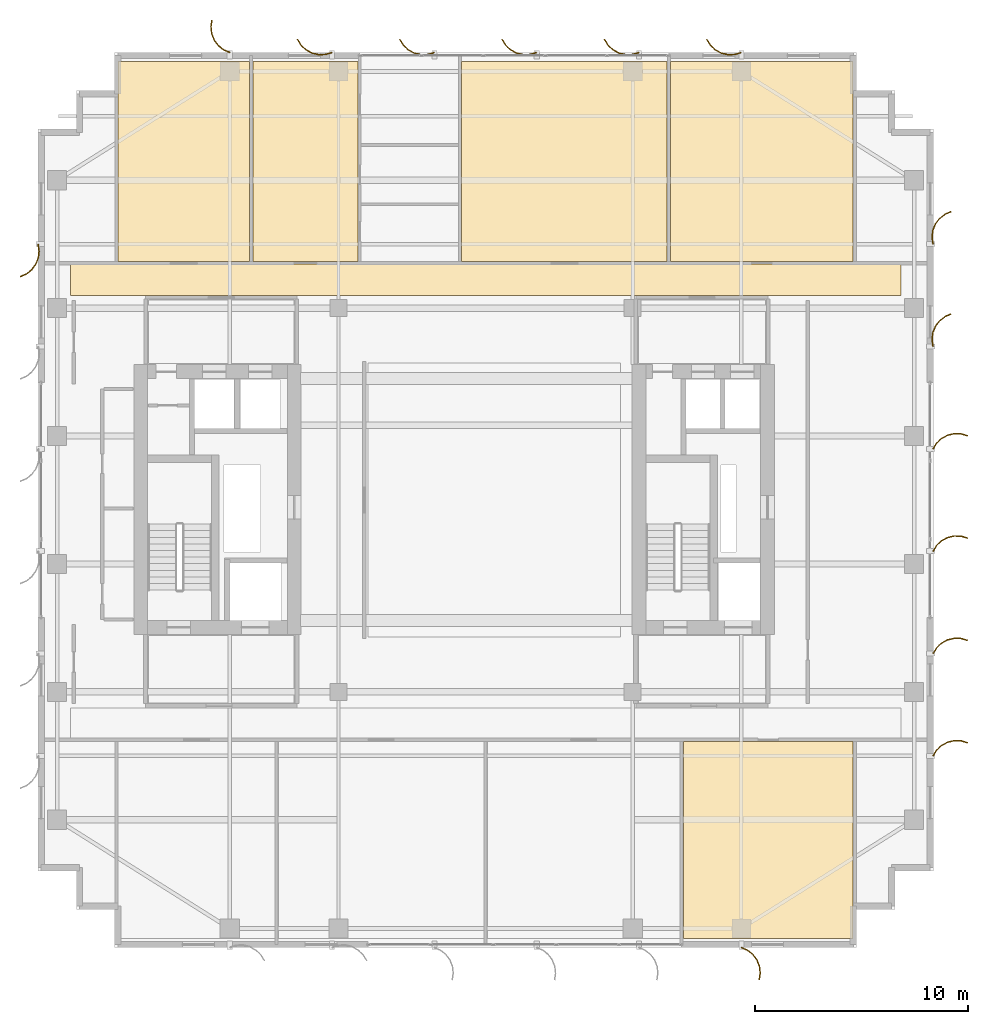
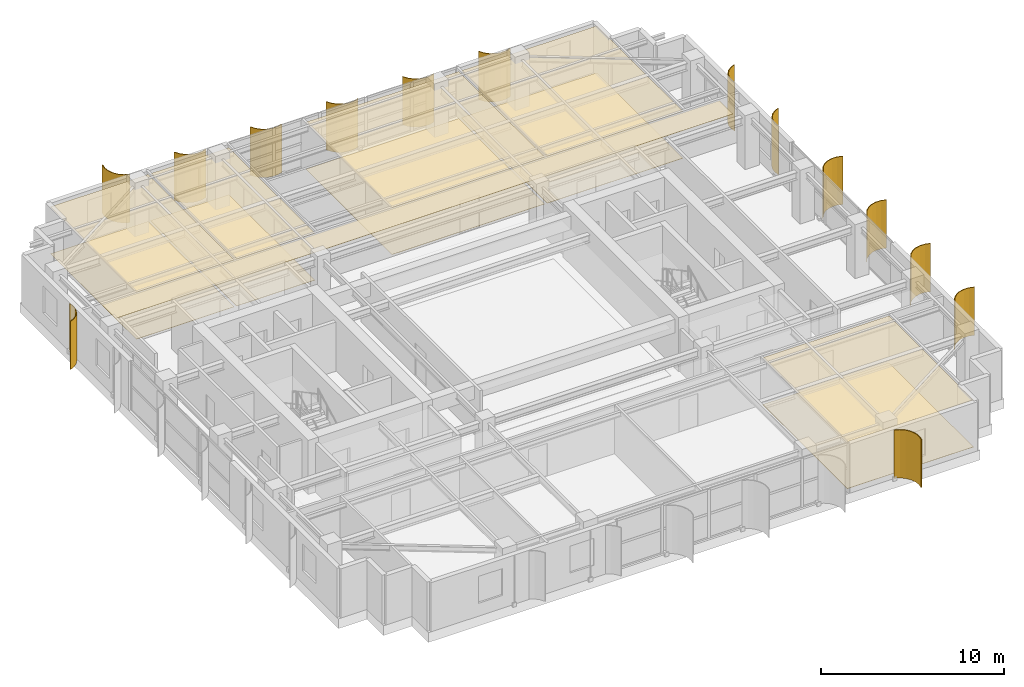
# One storey, part 25 of 25: 14 shading devices, 11 coverings.
"""IFC4 building model written with IfcOpenShell, lengths in metres."""

from ifc_helpers import new_model, si_unit, direction, frame, origin, place, context, subcontext, project, spatial, polyline, outline, extrude, source, transform, mapped, material, layer, layer_set, type_object, element, save


model = new_model("IFC4")

# Units and contexts
model_context = context("Model", 3, precision=1e-05, world=origin(), true_north=direction((0.0, 1.0)))
body_context = subcontext(model_context, "Body", "Model", "MODEL_VIEW")
ifc_project = project(units=[si_unit("LENGTHUNIT", "METRE"), si_unit("AREAUNIT", "SQUARE_METRE"), si_unit("VOLUMEUNIT", "CUBIC_METRE"), si_unit("PLANEANGLEUNIT", "RADIAN"), si_unit("MASSUNIT", "GRAM", prefix="KILO")], contexts=[model_context])

# Site, building, storey
site_placement = place(None, origin())
site = spatial("IfcSite", under=ifc_project, at=site_placement, CompositionType="ELEMENT")
building_placement = place(site_placement, origin())
building = spatial("IfcBuilding", under=site, at=building_placement, Name="Khoralis Quay Care Tower", CompositionType="ELEMENT")
storey_placement = place(building_placement, frame((0.0, 0.0, 216.89990234375)))
storey = spatial("IfcBuildingStorey", under=building, at=storey_placement, Name="L57", CompositionType="ELEMENT", Elevation=216.89990234375)

# Coverings
ifc_material_1 = material(Name="Mineral-fibre acoustic ceiling tile")
ifc_layer_1 = layer(ifc_material_1, 0.01806640625)
ifc_layer_set_1 = layer_set([ifc_layer_1], Name="Mineral-fibre acoustic ceiling tile")
covering_type_1 = type_object("IfcCoveringType", Name="COV-CEIL-AC18", PredefinedType="CEILING", material=ifc_layer_set_1)
covering_1_placement = place(storey_placement, frame((0.0, 0.0, 3.132080078125)))
element("IfcCovering", 1, at=covering_1_placement, inside=storey, type_object=covering_type_1, Name="Suspended Acoustic Ceiling SP-L57-CORR-N", PredefinedType="CEILING", context=body_context, shape_type="SweptSolid", body=[
    extrude(outline(polyline([(4.52001953125, 30.590087890625), (43.47998046875, 30.590087890625), (43.47998046875, 32.06005859375), (4.52001953125, 32.06005859375), (4.52001953125, 30.590087890625)])), origin(), (0.0, 0.0, 1.0), 0.01806640625),
])
covering_2_placement = place(storey_placement, frame((0.0, 0.0, 3.132080078125)))
element("IfcCovering", 2, at=covering_2_placement, inside=storey, type_object=covering_type_1, Name="Suspended Acoustic Ceiling SP-L57-SB-COM3", PredefinedType="CEILING", context=body_context, shape_type="SweptSolid", body=[
    extrude(outline(polyline([(33.280029296875, 0.419921875), (41.239990234375, 0.419921875), (41.239990234375, 9.669921875), (33.280029296875, 9.669921875), (33.280029296875, 0.419921875)])), origin(), (0.0, 0.0, 1.0), 0.01806640625),
])
covering_3_placement = place(storey_placement, frame((0.0, 0.0, 3.132080078125)))
element("IfcCovering", 3, at=covering_3_placement, inside=storey, type_object=covering_type_1, Name="Suspended Acoustic Ceiling SP-L57-NB-COM0", PredefinedType="CEILING", context=body_context, shape_type="SweptSolid", body=[
    extrude(outline(polyline([(6.760009765625, 32.179931640625), (12.919921875, 32.179931640625), (12.919921875, 41.580078125), (6.760009765625, 41.580078125), (6.760009765625, 32.179931640625)])), origin(), (0.0, 0.0, 1.0), 0.01806640625),
])
covering_4_placement = place(storey_placement, frame((0.0, 0.0, 3.132080078125)))
element("IfcCovering", 4, at=covering_4_placement, inside=storey, type_object=covering_type_1, Name="Suspended Acoustic Ceiling SP-L57-NB-LIV1", PredefinedType="CEILING", context=body_context, shape_type="SweptSolid", body=[
    extrude(outline(polyline([(13.080078125, 32.179931640625), (18.01611328125, 32.179931640625), (18.01611328125, 41.580078125), (13.080078125, 41.580078125), (13.080078125, 32.179931640625)])), origin(), (0.0, 0.0, 1.0), 0.01806640625),
])
covering_5_placement = place(storey_placement, frame((0.0, 0.0, 3.132080078125)))
element("IfcCovering", 5, at=covering_5_placement, inside=storey, type_object=covering_type_1, Name="Suspended Acoustic Ceiling SP-L57-NB-COM2", PredefinedType="CEILING", context=body_context, shape_type="SweptSolid", body=[
    extrude(outline(polyline([(22.8798828125, 32.179931640625), (32.52001953125, 32.179931640625), (32.52001953125, 41.580078125), (22.8798828125, 41.580078125), (22.8798828125, 32.179931640625)])), origin(), (0.0, 0.0, 1.0), 0.01806640625),
])
covering_6_placement = place(storey_placement, frame((0.0, 0.0, 3.132080078125)))
element("IfcCovering", 6, at=covering_6_placement, inside=storey, type_object=covering_type_1, Name="Suspended Acoustic Ceiling SP-L57-NB-COM3", PredefinedType="CEILING", context=body_context, shape_type="SweptSolid", body=[
    extrude(outline(polyline([(32.679931640625, 32.179931640625), (41.239990234375, 32.179931640625), (41.239990234375, 41.580078125), (32.679931640625, 41.580078125), (32.679931640625, 32.179931640625)])), origin(), (0.0, 0.0, 1.0), 0.01806640625),
])
ifc_material_2 = material(Name="Porcelain and non-slip vinyl flooring")
ifc_layer_2 = layer(ifc_material_2, 0.02001953125)
ifc_layer_set_2 = layer_set([ifc_layer_2], Name="Porcelain and non-slip vinyl flooring")
covering_type_2 = type_object("IfcCoveringType", Name="COV-FLOOR-20", PredefinedType="FLOORING", material=ifc_layer_set_2)
covering_7_placement = place(storey_placement, origin())
element("IfcCovering", 7, at=covering_7_placement, inside=storey, type_object=covering_type_2, Name="Resilient Healthcare Flooring SP-L57-SB-COM3", PredefinedType="FLOORING", context=body_context, shape_type="SweptSolid", body=[
    extrude(outline(polyline([(33.280029296875, 0.419921875), (41.239990234375, 0.419921875), (41.239990234375, 9.669921875), (33.280029296875, 9.669921875), (33.280029296875, 0.419921875)])), origin(), (0.0, 0.0, 1.0), 0.02001953125),
])
covering_8_placement = place(storey_placement, origin())
element("IfcCovering", 8, at=covering_8_placement, inside=storey, type_object=covering_type_2, Name="Resilient Healthcare Flooring SP-L57-NB-COM0", PredefinedType="FLOORING", context=body_context, shape_type="SweptSolid", body=[
    extrude(outline(polyline([(6.760009765625, 32.179931640625), (12.919921875, 32.179931640625), (12.919921875, 41.580078125), (6.760009765625, 41.580078125), (6.760009765625, 32.179931640625)])), origin(), (0.0, 0.0, 1.0), 0.02001953125),
])
covering_9_placement = place(storey_placement, origin())
element("IfcCovering", 9, at=covering_9_placement, inside=storey, type_object=covering_type_2, Name="Resilient Healthcare Flooring SP-L57-NB-LIV1", PredefinedType="FLOORING", context=body_context, shape_type="SweptSolid", body=[
    extrude(outline(polyline([(13.080078125, 32.179931640625), (18.01611328125, 32.179931640625), (18.01611328125, 41.580078125), (13.080078125, 41.580078125), (13.080078125, 32.179931640625)])), origin(), (0.0, 0.0, 1.0), 0.02001953125),
])
covering_10_placement = place(storey_placement, origin())
element("IfcCovering", 10, at=covering_10_placement, inside=storey, type_object=covering_type_2, Name="Resilient Healthcare Flooring SP-L57-NB-COM2", PredefinedType="FLOORING", context=body_context, shape_type="SweptSolid", body=[
    extrude(outline(polyline([(22.8798828125, 32.179931640625), (32.52001953125, 32.179931640625), (32.52001953125, 41.580078125), (22.8798828125, 41.580078125), (22.8798828125, 32.179931640625)])), origin(), (0.0, 0.0, 1.0), 0.02001953125),
])
covering_11_placement = place(storey_placement, origin())
element("IfcCovering", 11, at=covering_11_placement, inside=storey, type_object=covering_type_2, Name="Resilient Healthcare Flooring SP-L57-NB-COM3", PredefinedType="FLOORING", context=body_context, shape_type="SweptSolid", body=[
    extrude(outline(polyline([(32.679931640625, 32.179931640625), (41.239990234375, 32.179931640625), (41.239990234375, 41.580078125), (32.679931640625, 41.580078125), (32.679931640625, 32.179931640625)])), origin(), (0.0, 0.0, 1.0), 0.02001953125),
])

# Shading devices
ifc_material_3 = material(Name="Brushed pale anodised aluminium", Category="aluminium")
ifc_layer_3 = layer(ifc_material_3, 0.044921875)
ifc_layer_set_3 = layer_set([ifc_layer_3], Name="Brushed pale anodised aluminium")
shading_device_type = type_object("IfcShadingDeviceType", Name="SHD-FIN-1250", PredefinedType="USERDEFINED", material=ifc_layer_set_3)
shared_shape_1 = source(origin(), body_context, "Body", "SweptSolid", [
    extrude(outline(polyline([(0.0, 0.0), (0.17041015625, 0.2783203125), (0.4072265625, 0.5029296875), (0.694091796875, 0.658447265625), (1.01123046875, 0.734619140625), (1.33740234375, 0.72607421875), (1.650390625, 0.633544921875), (1.632080078125, 0.59228515625), (1.330322265625, 0.681640625), (1.015869140625, 0.68994140625), (0.710205078125, 0.616455078125), (0.43359375, 0.466552734375), (0.20556640625, 0.25), (0.041015625, -0.018310546875), (0.0, 0.0)])), origin(), (0.0, 0.0, 1.0), 3.219970703125),
])
for number, where, z_axis, x_axis, name in (
    (12, (44.969970703125, 9.0, 0.02001953125), (0.0, 0.0, 1.0), (1.0, 0.0, 0.0), "L57 Curved Solar Fin P1E5-01"),
    (13, (44.969970703125, 13.800048828125, 0.02001953125), (0.0, 0.0, 1.0), (1.0, 0.0, 0.0), "L57 Curved Solar Fin P1E5-02"),
    (14, (44.969970703125, 18.60009765625, 0.02001953125), (0.0, 0.0, 1.0), (1.0, 0.0, 0.0), "L57 Curved Solar Fin P1E5-03"),
    (15, (44.969970703125, 23.39990234375, 0.02001953125), (0.0, 0.0, 1.0), (1.0, 0.0, 0.0), "L57 Curved Solar Fin P1E5-04"),
):
    element("IfcShadingDevice", number, at=place(storey_placement, frame(where, z_axis=z_axis, x_axis=x_axis)), inside=storey, type_object=shading_device_type, Name=name, ObjectType="FIN", PredefinedType="USERDEFINED", context=body_context, shape_type="MappedRepresentation", body=[
        mapped(shared_shape_1, transform((0.0, 0.0, 0.0), scale=1.0)),
    ])
shared_shape_2 = source(origin(), body_context, "Body", "SweptSolid", [
    extrude(outline(polyline([(0.0, 0.0), (-0.04833984375, 0.32275390625), (-0.01123046875, 0.64697265625), (0.1083984375, 0.950439453125), (0.302490234375, 1.212890625), (0.557861328125, 1.416015625), (0.85693359375, 1.546142578125), (0.869384765625, 1.5029296875), (0.5810546875, 1.37744140625), (0.334716796875, 1.181640625), (0.147705078125, 0.9287109375), (0.032470703125, 0.635986328125), (-0.003173828125, 0.323486328125), (0.043212890625, 0.012451171875), (0.0, 0.0)])), origin(), (0.0, 0.0, 1.0), 3.219970703125),
])
for number, where, z_axis, x_axis, name in (
    (16, (44.969970703125, 28.199951171875, 0.02001953125), (0.0, 0.0, 1.0), (1.0, 0.0, 0.0), "L57 Curved Solar Fin P1E5-05"),
    (17, (44.969970703125, 33.0, 0.02001953125), (0.0, 0.0, 1.0), (1.0, 0.0, 0.0), "L57 Curved Solar Fin P1E5-06"),
    (18, (3.030029296875, 33.0, 0.02001953125), (0.0, 0.0, 1.0), (-1.0, 0.0, 0.0), "L57 Curved Solar Fin P1E15-01"),
):
    element("IfcShadingDevice", number, at=place(storey_placement, frame(where, z_axis=z_axis, x_axis=x_axis)), inside=storey, type_object=shading_device_type, Name=name, ObjectType="FIN", PredefinedType="USERDEFINED", context=body_context, shape_type="MappedRepresentation", body=[
        mapped(shared_shape_2, transform((0.0, 0.0, 0.0), scale=1.0)),
    ])
shared_shape_3 = source(origin(), body_context, "Body", "SweptSolid", [
    extrude(outline(polyline([(0.0, 0.0), (-0.0927734375, 0.31298828125), (-0.101318359375, 0.63916015625), (-0.025146484375, 0.956298828125), (0.130615234375, 1.2431640625), (0.355224609375, 1.479736328125), (0.633544921875, 1.650390625), (0.65185546875, 1.609130859375), (0.383544921875, 1.44482421875), (0.1669921875, 1.216796875), (0.01708984375, 0.940185546875), (-0.056396484375, 0.63427734375), (-0.04833984375, 0.31982421875), (0.041015625, 0.018310546875), (0.0, 0.0)])), origin(), (0.0, 0.0, 1.0), 3.219970703125),
])
for number, where, z_axis, x_axis, name in (
    (19, (36.0, 41.969970703125, 0.02001953125), (0.0, 0.0, 1.0), (0.0, 1.0, 0.0), "L57 Curved Solar Fin P1E10-01"),
    (20, (31.199951171875, 41.969970703125, 0.02001953125), (0.0, 0.0, 1.0), (0.0, 1.0, 0.0), "L57 Curved Solar Fin P1E10-02"),
    (21, (26.39990234375, 41.969970703125, 0.02001953125), (0.0, 0.0, 1.0), (0.0, 1.0, 0.0), "L57 Curved Solar Fin P1E10-03"),
    (22, (21.60009765625, 41.969970703125, 0.02001953125), (0.0, 0.0, 1.0), (0.0, 1.0, 0.0), "L57 Curved Solar Fin P1E10-04"),
    (23, (16.800048828125, 41.969970703125, 0.02001953125), (0.0, 0.0, 1.0), (0.0, 1.0, 0.0), "L57 Curved Solar Fin P1E10-05"),
):
    element("IfcShadingDevice", number, at=place(storey_placement, frame(where, z_axis=z_axis, x_axis=x_axis)), inside=storey, type_object=shading_device_type, Name=name, ObjectType="FIN", PredefinedType="USERDEFINED", context=body_context, shape_type="MappedRepresentation", body=[
        mapped(shared_shape_3, transform((0.0, 0.0, 0.0), scale=1.0)),
    ])
shared_shape_4 = source(origin(), body_context, "Body", "SweptSolid", [
    extrude(outline(polyline([(0.0, 0.0), (0.130126953125, 0.29931640625), (0.333251953125, 0.5546875), (0.595458984375, 0.748779296875), (0.899169921875, 0.868408203125), (1.223388671875, 0.9052734375), (1.546142578125, 0.85693359375), (1.53369140625, 0.813720703125), (1.22265625, 0.8603515625), (0.91015625, 0.82470703125), (0.617431640625, 0.70947265625), (0.364501953125, 0.522216796875), (0.168701171875, 0.276123046875), (0.043212890625, -0.012451171875), (0.0, 0.0)])), origin(), (0.0, 0.0, 1.0), 3.219970703125),
])
for number, where, z_axis, x_axis, name in (
    (24, (36.0, 0.030029296875, 0.02001953125), (0.0, 0.0, 1.0), (0.0, -1.0, 0.0), "L57 Curved Solar Fin P1E0-06"),
    (25, (12.0, 41.969970703125, 0.02001953125), (0.0, 0.0, 1.0), (0.0, 1.0, 0.0), "L57 Curved Solar Fin P1E10-06"),
):
    element("IfcShadingDevice", number, at=place(storey_placement, frame(where, z_axis=z_axis, x_axis=x_axis)), inside=storey, type_object=shading_device_type, Name=name, ObjectType="FIN", PredefinedType="USERDEFINED", context=body_context, shape_type="MappedRepresentation", body=[
        mapped(shared_shape_4, transform((0.0, 0.0, 0.0), scale=1.0)),
    ])

save(model, "model.ifc")
